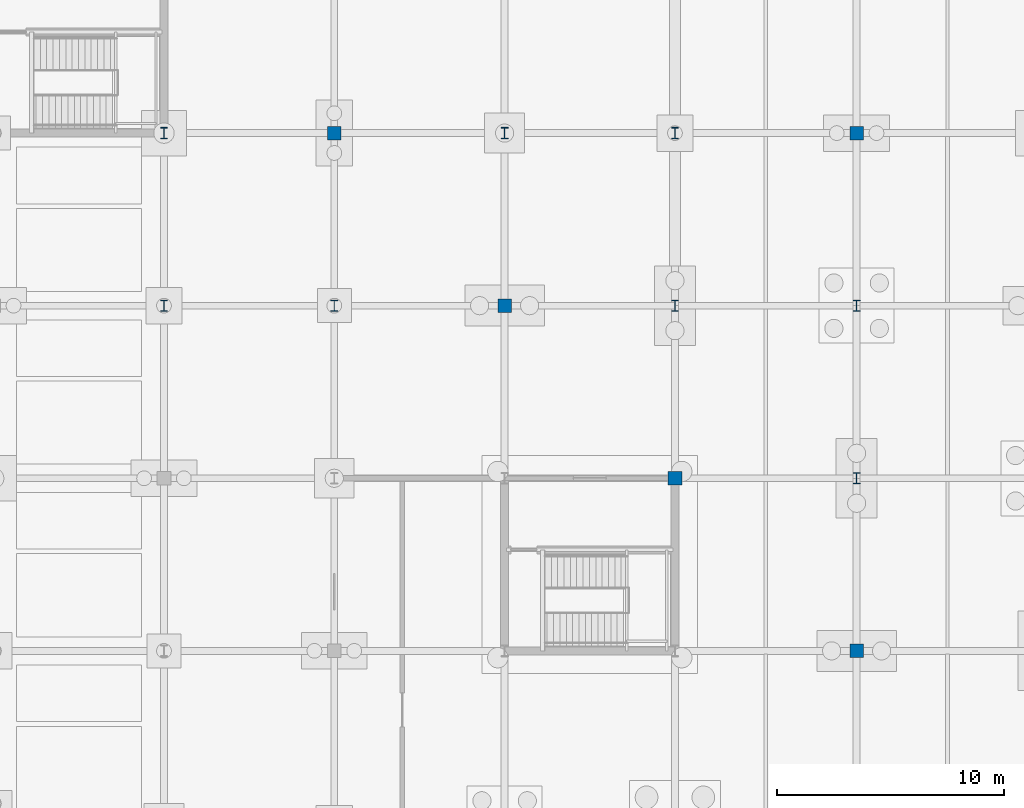
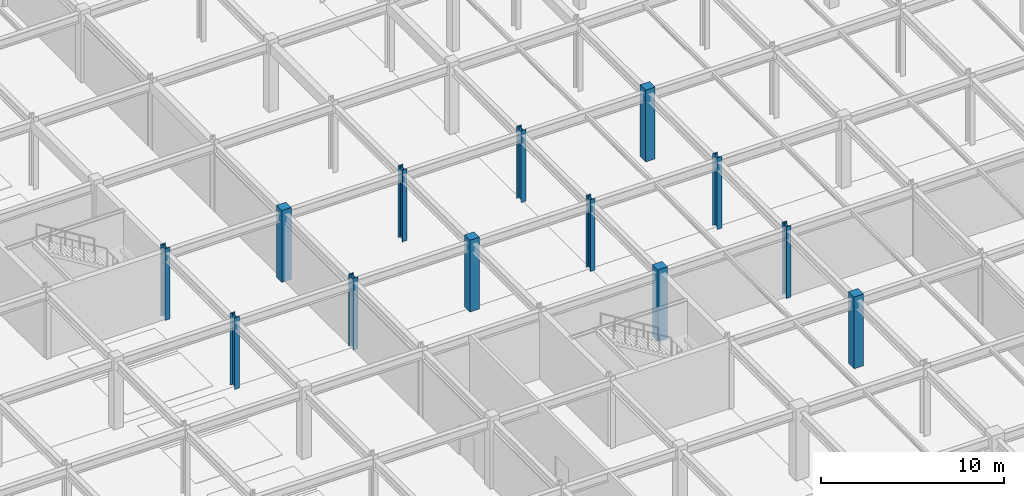
# One storey, part 18 of 53: 13 columns.
"""IFC4 building model written with IfcOpenShell, lengths in metres."""

from ifc_helpers import new_model, si_unit, direction, frame, origin, origin_2d, place, context, subcontext, project, spatial, rectangle, i_section, extrude, material, material_profile, profile_set, type_object, element, save


model = new_model("IFC4")

# Units and contexts
model_context = context("Model", 3, precision=1e-05, world=origin(), true_north=direction((0.0, 1.0)))
body_context = subcontext(model_context, "Body", "Model", "MODEL_VIEW")
ifc_project = project(units=[si_unit("LENGTHUNIT", "METRE"), si_unit("AREAUNIT", "SQUARE_METRE"), si_unit("VOLUMEUNIT", "CUBIC_METRE"), si_unit("PLANEANGLEUNIT", "RADIAN"), si_unit("MASSUNIT", "GRAM", prefix="KILO")], contexts=[model_context])

# Site, building, storey
site_placement = place(None, origin())
site = spatial("IfcSite", under=ifc_project, at=site_placement, CompositionType="ELEMENT")
building_placement = place(site_placement, origin())
building = spatial("IfcBuilding", under=site, at=building_placement, Name="Shalkamar Park Central Library", CompositionType="ELEMENT")
storey_placement = place(building_placement, frame((0.0, 0.0, -4.800048828125)))
storey = spatial("IfcBuildingStorey", under=building, at=storey_placement, Name="B1", CompositionType="ELEMENT", Elevation=-4.800048828125)

# Columns
ifc_material_1 = material(Name="Concrete C40/50", Category="concrete")
ifc_material_profile_1 = material_profile(ifc_material_1, rectangle(XDim=0.60009765625, YDim=0.60009765625, at=origin_2d()), Name="RC 600x600")
ifc_profile_set_1 = profile_set([ifc_material_profile_1], Name="Concrete C40/50")
column_type_1 = type_object("IfcColumnType", Name="Column Concrete RC600", PredefinedType="COLUMN", material=ifc_profile_set_1)
for number, where, z_axis, x_axis, name in (
    (1, (150.0, 323.60009765625, 0.0), (0.0, 0.0, 1.0), (1.0, 0.0, 0.0), "Column 05/M (B1)"),
    (2, (157.5, 316.0, 0.0), (0.0, 0.0, 1.0), (1.0, 0.0, 0.0), "Column 06/L (B1)"),
    (3, (165.0, 308.39990234375, 0.0), (0.0, 0.0, 1.0), (1.0, 0.0, 0.0), "Column 07/K (B1)"),
    (4, (173.0, 300.800048828125, 0.0), (0.0, 0.0, 1.0), (1.0, 0.0, 0.0), "Column 08/J (B1)"),
    (5, (173.0, 323.60009765625, 0.0), (0.0, 0.0, 1.0), (1.0, 0.0, 0.0), "Column 08/M (B1)"),
):
    element("IfcColumn", number, at=place(storey_placement, frame(where, z_axis=z_axis, x_axis=x_axis)), inside=storey, type_object=column_type_1, Name=name, PredefinedType="COLUMN", context=body_context, shape_type="SweptSolid", body=[
        extrude(rectangle(XDim=0.60009765625, YDim=0.60009765625, at=origin_2d()), origin(), (0.0, 0.0, 1.0), 4.800048828125),
    ])
ifc_material_2 = material(Name="Steel S355", Category="steel")
ifc_material_profile_2 = material_profile(ifc_material_2, i_section(OverallWidth=0.300048828125, OverallDepth=0.5, WebThickness=0.014404296875, FlangeThickness=0.028076171875, FilletRadius=0.027099609375, at=origin_2d()), Name="HEB 500")
ifc_profile_set_2 = profile_set([ifc_material_profile_2], Name="Steel S355")
column_type_2 = type_object("IfcColumnType", Name="Column Steel HEB500", PredefinedType="COLUMN", material=ifc_profile_set_2)
for number, where, z_axis, x_axis, name in (
    (6, (142.5, 316.0, 0.0), (0.0, 0.0, 1.0), (1.0, 0.0, 0.0), "Column 04/L (B1)"),
    (7, (142.5, 323.60009765625, 0.0), (0.0, 0.0, 1.0), (1.0, 0.0, 0.0), "Column 04/M (B1)"),
    (8, (150.0, 316.0, 0.0), (0.0, 0.0, 1.0), (1.0, 0.0, 0.0), "Column 05/L (B1)"),
    (9, (157.5, 323.60009765625, 0.0), (0.0, 0.0, 1.0), (1.0, 0.0, 0.0), "Column 06/M (B1)"),
    (10, (165.0, 316.0, 0.0), (0.0, 0.0, 1.0), (1.0, 0.0, 0.0), "Column 07/L (B1)"),
    (11, (165.0, 323.60009765625, 0.0), (0.0, 0.0, 1.0), (1.0, 0.0, 0.0), "Column 07/M (B1)"),
    (12, (173.0, 308.39990234375, 0.0), (0.0, 0.0, 1.0), (1.0, 0.0, 0.0), "Column 08/K (B1)"),
    (13, (173.0, 316.0, 0.0), (0.0, 0.0, 1.0), (1.0, 0.0, 0.0), "Column 08/L (B1)"),
):
    element("IfcColumn", number, at=place(storey_placement, frame(where, z_axis=z_axis, x_axis=x_axis)), inside=storey, type_object=column_type_2, Name=name, PredefinedType="COLUMN", context=body_context, shape_type="SweptSolid", body=[
        extrude(i_section(OverallWidth=0.300048828125, OverallDepth=0.5, WebThickness=0.014404296875, FlangeThickness=0.028076171875, FilletRadius=0.027099609375, at=origin_2d()), origin(), (0.0, 0.0, 1.0), 4.800048828125),
    ])

save(model, "model.ifc")
